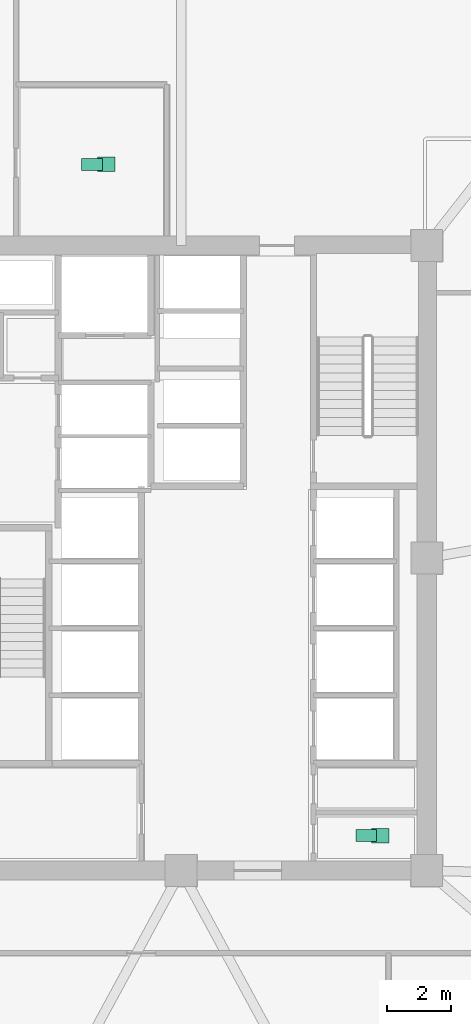
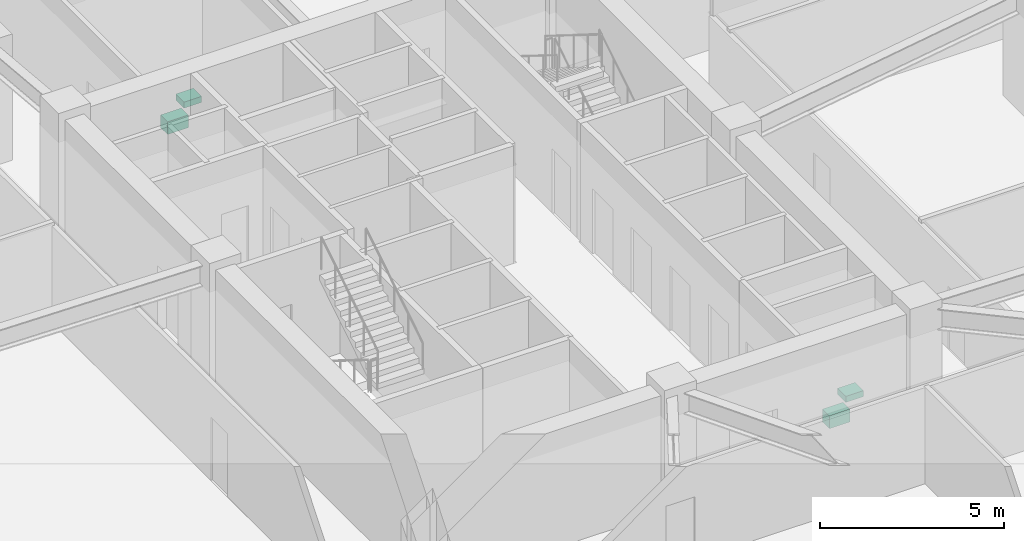
# One storey, part 22 of 22: 4 sanitary terminals.
"""IFC4 building model written with IfcOpenShell, lengths in metres."""

from ifc_helpers import new_model, si_unit, direction, frame, origin, origin_2d, place, context, subcontext, project, spatial, rectangle, extrude, material, type_object, element, save


model = new_model("IFC4")

# Units and contexts
model_context = context("Model", 3, precision=1e-05, world=origin(), true_north=direction((0.0, 1.0)))
body_context = subcontext(model_context, "Body", "Model", "MODEL_VIEW")
ifc_project = project(units=[si_unit("LENGTHUNIT", "METRE"), si_unit("AREAUNIT", "SQUARE_METRE"), si_unit("VOLUMEUNIT", "CUBIC_METRE"), si_unit("PLANEANGLEUNIT", "RADIAN"), si_unit("MASSUNIT", "GRAM", prefix="KILO")], contexts=[model_context])

# Site, building, storey
site_placement = place(None, origin())
site = spatial("IfcSite", under=ifc_project, at=site_placement, CompositionType="ELEMENT")
building_placement = place(site_placement, origin())
building = spatial("IfcBuilding", under=site, at=building_placement, Name="Savorim Split Tower", CompositionType="ELEMENT")
storey_placement = place(building_placement, frame((0.0, 0.0, 13.39990234375)))
storey = spatial("IfcBuildingStorey", under=building, at=storey_placement, Name="L03", CompositionType="ELEMENT", Elevation=13.39990234375)

# Sanitary terminals
ifc_material = material(Name="Vitreous China Sanitaryware")
sanitary_terminal_type_1 = type_object("IfcSanitaryTerminalType", Name="SAN-WC-PAN", PredefinedType="TOILETPAN", material=ifc_material)
for number, where, z_axis, x_axis, name in (
    (1, (5.800048828125, -8.304931640625, 0.000244140625), (0.0, 0.0, 1.0), (1.0, 0.0, 0.0), "L03 Accessible WC WC Pan"),
    (2, (-2.800048828125, 12.75, 0.000244140625), (0.0, 0.0, 1.0), (1.0, 0.0, 0.0), "L03 Accessible WC WC Pan"),
):
    element("IfcSanitaryTerminal", number, at=place(storey_placement, frame(where, z_axis=z_axis, x_axis=x_axis)), inside=storey, type_object=sanitary_terminal_type_1, Name=name, PredefinedType="TOILETPAN", context=body_context, shape_type="SweptSolid", body=[
        extrude(rectangle(XDim=0.64990234375, YDim=0.3798828125, at=origin_2d()), origin(), (0.0, 0.0, 1.0), 0.419921875),
    ])
sanitary_terminal_type_2 = type_object("IfcSanitaryTerminalType", Name="SAN-WHB-550", PredefinedType="WASHHANDBASIN", material=ifc_material)
for number, where, z_axis, x_axis, name in (
    (3, (6.25, -8.304931640625, 0.72021484375), (0.0, 0.0, 1.0), (1.0, 0.0, 0.0), "L03 Accessible WC Washhand Basin"),
    (4, (-2.35009765625, 12.75, 0.72021484375), (0.0, 0.0, 1.0), (1.0, 0.0, 0.0), "L03 Accessible WC Washhand Basin"),
):
    element("IfcSanitaryTerminal", number, at=place(storey_placement, frame(where, z_axis=z_axis, x_axis=x_axis)), inside=storey, type_object=sanitary_terminal_type_2, Name=name, PredefinedType="WASHHANDBASIN", context=body_context, shape_type="SweptSolid", body=[
        extrude(rectangle(XDim=0.550048828125, YDim=0.449951171875, at=origin_2d()), origin(), (0.0, 0.0, 1.0), 0.199951171875),
    ])

save(model, "model.ifc")
